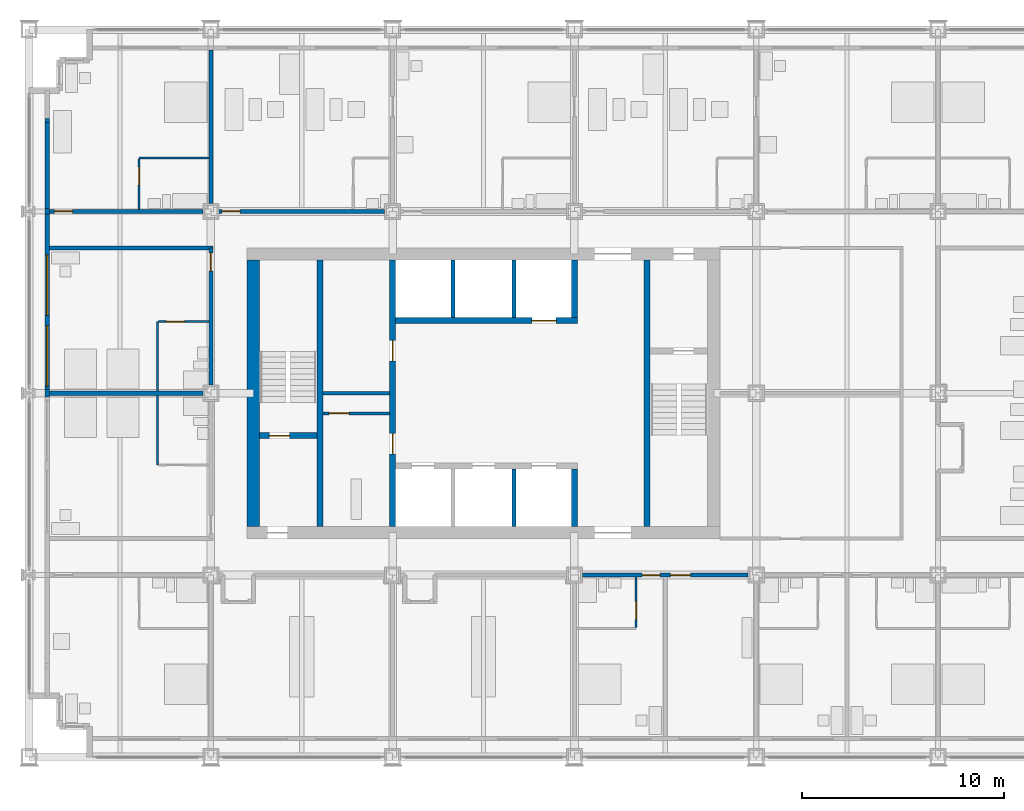
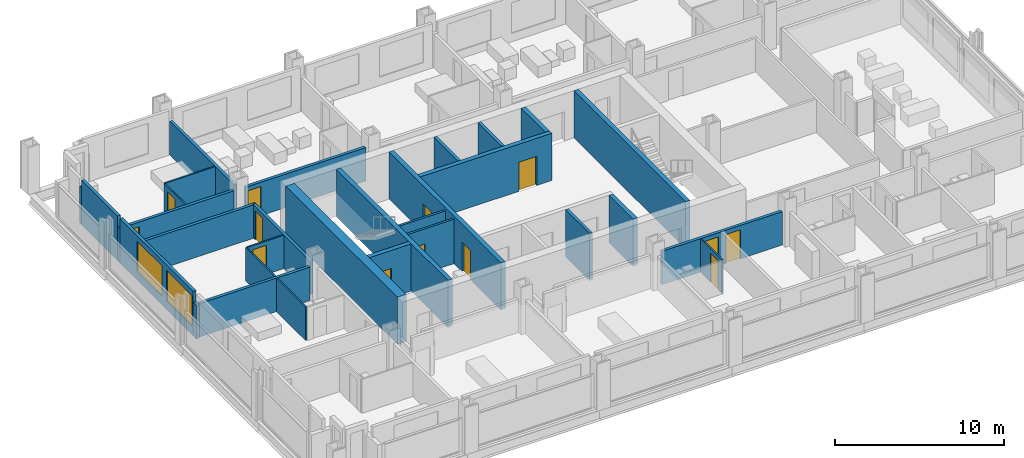
# One storey, part 11 of 18: 31 walls, 13 doors, 2 windows, 15 openings.
"""IFC4 building model written with IfcOpenShell, lengths in metres."""

from ifc_helpers import new_model, si_unit, direction, frame, frame_2d, origin, place, context, subcontext, project, spatial, rectangle, extrude, material, layer, layer_set, type_object, element, fill, save


model = new_model("IFC4")

# Units and contexts
model_context = context("Model", 3, precision=1e-05, world=origin(), true_north=direction((0.0, 1.0)))
body_context = subcontext(model_context, "Body", "Model", "MODEL_VIEW")
ifc_project = project(units=[si_unit("LENGTHUNIT", "METRE"), si_unit("AREAUNIT", "SQUARE_METRE"), si_unit("VOLUMEUNIT", "CUBIC_METRE"), si_unit("PLANEANGLEUNIT", "RADIAN"), si_unit("MASSUNIT", "GRAM", prefix="KILO")], contexts=[model_context])

# Site, building, storey
site_placement = place(None, origin())
site = spatial("IfcSite", under=ifc_project, at=site_placement, CompositionType="ELEMENT")
building_placement = place(site_placement, origin())
building = spatial("IfcBuilding", under=site, at=building_placement, Name="Loomwork Tower", CompositionType="ELEMENT")
storey_placement = place(building_placement, frame((0.0, 0.0, 28.0)))
storey = spatial("IfcBuildingStorey", under=building, at=storey_placement, Name="L05", CompositionType="ELEMENT", Elevation=28.0)

# Wall
ifc_material_1 = material(Name="Concrete 14000 psi (97 MPa)", Category="concrete")
ifc_layer_1 = layer(ifc_material_1, 0.300048828125)
ifc_layer_set_1 = layer_set([ifc_layer_1], Name="Core shear wall 300")
wall_type_1 = type_object("IfcWallType", Name="Core shear wall 300", PredefinedType="SHEAR", material=ifc_layer_set_1)
wall_1_placement = place(storey_placement, frame((14.39990234375, 11.39990234375, 0.0), z_axis=(0.0, 0.0, 1.0), x_axis=(0.0, 1.0, 0.0)))
element("IfcWall", 1, at=wall_1_placement, inside=storey, type_object=wall_type_1, Name="Stair A east wall L05", PredefinedType="SHEAR", context=body_context, shape_type="SweptSolid", body=[
    extrude(rectangle(XDim=13.2001953125, YDim=0.300048828125, at=frame_2d((6.60009765625, 0.0))), origin(), (0.0, 0.0, 1.0), 3.39990234375),
])

# Wall, opening, door
wall_2_placement = place(storey_placement, frame((11.39990234375, 15.89990234375, 0.0), z_axis=(0.0, 0.0, 1.0), x_axis=(1.0, 0.0, 0.0)))
wall_2 = element("IfcWall", 2, at=wall_2_placement, inside=storey, type_object=wall_type_1, Name="Stair A south wall L05", PredefinedType="SHEAR", context=body_context, shape_type="SweptSolid", body=[
    extrude(rectangle(XDim=2.85009765625, YDim=0.300048828125, at=frame_2d((1.425048828125, 0.0))), origin(), (0.0, 0.0, 1.0), 3.39990234375),
])
opening_1_placement = place(wall_2_placement, frame((0.5, 0.0, 0.0)))
opening_1 = element("IfcOpeningElement", 3, at=opening_1_placement, cuts=wall_2, Name="Opening D4", PredefinedType="OPENING", context=body_context, shape_type="SweptSolid", body=[
    extrude(rectangle(XDim=1.0, YDim=2.10009765625, at=frame_2d((0.5, 1.050048828125))), frame((0.0, 0.159912109375, 0.0), z_axis=(0.0, -1.0, 0.0), x_axis=(1.0, 0.0, 0.0)), (0.0, 0.0, 1.0), 0.320068359375),
])
ifc_material_2 = material(Name="Hollow metal door and frame")
door_type_1 = type_object("IfcDoorType", Name="Stair door 1000", OperationType="SINGLE_SWING_RIGHT", PredefinedType="DOOR", material=ifc_material_2)
door_1_placement = place(opening_1_placement, origin())
door_1 = element("IfcDoor", 4, at=door_1_placement, inside=storey, type_object=door_type_1, Name="Stair A door", OperationType="SINGLE_SWING_LEFT", OverallHeight=2.10009765625, OverallWidth=1.0, PredefinedType="DOOR", context=body_context, shape_type="SweptSolid", body=[
    extrude(rectangle(XDim=1.0, YDim=2.10009765625, at=frame_2d((0.5, 1.050048828125))), frame((0.0, 0.02490234375, 0.0), z_axis=(0.0, -1.0, 0.0), x_axis=(1.0, 0.0, 0.0)), (0.0, 0.0, 1.0), 0.050048828125),
])
fill(opening_1, door_1)

# Wall, openings, doors
wall_3_placement = place(storey_placement, frame((18.0, 11.39990234375, 0.0), z_axis=(0.0, 0.0, 1.0), x_axis=(0.0, 1.0, 0.0)))
wall_3 = element("IfcWall", 5, at=wall_3_placement, inside=storey, type_object=wall_type_1, Name="Lobby west wall L05", PredefinedType="SHEAR", context=body_context, shape_type="SweptSolid", body=[
    extrude(rectangle(XDim=13.2001953125, YDim=0.300048828125, at=frame_2d((6.60009765625, 0.0))), origin(), (0.0, 0.0, 1.0), 3.39990234375),
])
opening_2_placement = place(wall_3_placement, frame((3.60009765625, 0.0, 0.0)))
opening_2 = element("IfcOpeningElement", 6, at=opening_2_placement, cuts=wall_3, Name="Opening D5", PredefinedType="OPENING", context=body_context, shape_type="SweptSolid", body=[
    extrude(rectangle(XDim=1.0, YDim=2.10009765625, at=frame_2d((0.5, 1.050048828125))), frame((0.0, 0.159912109375, 0.0), z_axis=(0.0, -1.0, 0.0), x_axis=(1.0, 0.0, 0.0)), (0.0, 0.0, 1.0), 0.320068359375),
])
opening_3_placement = place(wall_3_placement, frame((8.199951171875, 0.0, 0.0)))
opening_3 = element("IfcOpeningElement", 7, at=opening_3_placement, cuts=wall_3, Name="Opening D5", PredefinedType="OPENING", context=body_context, shape_type="SweptSolid", body=[
    extrude(rectangle(XDim=1.0, YDim=2.10009765625, at=frame_2d((0.5, 1.050048828125))), frame((0.0, 0.159912109375, 0.0), z_axis=(0.0, -1.0, 0.0), x_axis=(1.0, 0.0, 0.0)), (0.0, 0.0, 1.0), 0.320068359375),
])
ifc_material_3 = material(Name="Hollow metal door and frame")
door_type_2 = type_object("IfcDoorType", Name="Service door 1000", OperationType="SINGLE_SWING_LEFT", PredefinedType="DOOR", material=ifc_material_3)
door_2_placement = place(opening_2_placement, origin())
door_2 = element("IfcDoor", 8, at=door_2_placement, inside=storey, type_object=door_type_2, Name="Back-of-house door south", OperationType="SINGLE_SWING_LEFT", OverallHeight=2.10009765625, OverallWidth=1.0, PredefinedType="DOOR", context=body_context, shape_type="SweptSolid", body=[
    extrude(rectangle(XDim=1.0, YDim=2.10009765625, at=frame_2d((0.5, 1.050048828125))), frame((0.0, 0.02490234375, 0.0), z_axis=(0.0, -1.0, 0.0), x_axis=(1.0, 0.0, 0.0)), (0.0, 0.0, 1.0), 0.050048828125),
])
fill(opening_2, door_2)
door_3_placement = place(opening_3_placement, origin())
door_3 = element("IfcDoor", 9, at=door_3_placement, inside=storey, type_object=door_type_2, Name="Back-of-house door north", OperationType="SINGLE_SWING_RIGHT", OverallHeight=2.10009765625, OverallWidth=1.0, PredefinedType="DOOR", context=body_context, shape_type="SweptSolid", body=[
    extrude(rectangle(XDim=1.0, YDim=2.10009765625, at=frame_2d((0.5, 1.050048828125))), frame((0.0, 0.02490234375, 0.0), z_axis=(0.0, -1.0, 0.0), x_axis=(1.0, 0.0, 0.0)), (0.0, 0.0, 1.0), 0.050048828125),
])
fill(opening_3, door_3)

# Wall
wall_4_placement = place(storey_placement, frame((27.0, 11.39990234375, 0.0), z_axis=(0.0, 0.0, 1.0), x_axis=(0.0, 1.0, 0.0)))
element("IfcWall", 10, at=wall_4_placement, inside=storey, type_object=wall_type_1, Name="Lift shaft end wall south L05", PredefinedType="SHEAR", context=body_context, shape_type="SweptSolid", body=[
    extrude(rectangle(XDim=2.85009765625, YDim=0.300048828125, at=frame_2d((1.425048828125, 0.0))), origin(), (0.0, 0.0, 1.0), 3.39990234375),
])

# Wall, opening, door
wall_5_placement = place(storey_placement, frame((18.14990234375, 21.60009765625, 0.0), z_axis=(0.0, 0.0, 1.0), x_axis=(1.0, 0.0, 0.0)))
wall_5 = element("IfcWall", 11, at=wall_5_placement, inside=storey, type_object=wall_type_1, Name="Lift front wall north L05", PredefinedType="SHEAR", context=body_context, shape_type="SweptSolid", body=[
    extrude(rectangle(XDim=9.0, YDim=0.300048828125, at=frame_2d((4.5, 0.0))), origin(), (0.0, 0.0, 1.0), 3.39990234375),
])
opening_4_placement = place(wall_5_placement, frame((6.75, 0.0, 0.0)))
opening_4 = element("IfcOpeningElement", 12, at=opening_4_placement, cuts=wall_5, Name="Opening LD2", PredefinedType="OPENING", context=body_context, shape_type="SweptSolid", body=[
    extrude(rectangle(XDim=1.199951171875, YDim=2.10009765625, at=frame_2d((0.60009765625, 1.050048828125))), frame((0.0, 0.159912109375, 0.0), z_axis=(0.0, -1.0, 0.0), x_axis=(1.0, 0.0, 0.0)), (0.0, 0.0, 1.0), 0.320068359375),
])
ifc_material_4 = material(Name="Hollow metal door and frame")
door_type_3 = type_object("IfcDoorType", Name="Lift landing door 1200", OperationType="SLIDING_TO_LEFT", PredefinedType="DOOR", material=ifc_material_4)
door_4_placement = place(opening_4_placement, origin())
door_4 = element("IfcDoor", 13, at=door_4_placement, inside=storey, type_object=door_type_3, Name="Lift landing door LF2", OperationType="SLIDING_TO_LEFT", OverallHeight=2.10009765625, OverallWidth=1.199951171875, PredefinedType="DOOR", context=body_context, shape_type="SweptSolid", body=[
    extrude(rectangle(XDim=1.199951171875, YDim=2.10009765625, at=frame_2d((0.60009765625, 1.050048828125))), frame((0.0, 0.02490234375, 0.0), z_axis=(0.0, -1.0, 0.0), x_axis=(1.0, 0.0, 0.0)), (0.0, 0.0, 1.0), 0.050048828125),
])
fill(opening_4, door_4)

# Walls
wall_6_placement = place(storey_placement, frame((27.0, 21.75, 0.0), z_axis=(0.0, 0.0, 1.0), x_axis=(0.0, 1.0, 0.0)))
element("IfcWall", 14, at=wall_6_placement, inside=storey, type_object=wall_type_1, Name="Lift shaft end wall north L05", PredefinedType="SHEAR", context=body_context, shape_type="SweptSolid", body=[
    extrude(rectangle(XDim=2.85009765625, YDim=0.300048828125, at=frame_2d((1.425048828125, 0.0))), origin(), (0.0, 0.0, 1.0), 3.39990234375),
])
wall_7_placement = place(storey_placement, frame((30.60009765625, 11.39990234375, 0.0), z_axis=(0.0, 0.0, 1.0), x_axis=(0.0, 1.0, 0.0)))
element("IfcWall", 15, at=wall_7_placement, inside=storey, type_object=wall_type_1, Name="Stair B west wall L05", PredefinedType="SHEAR", context=body_context, shape_type="SweptSolid", body=[
    extrude(rectangle(XDim=13.2001953125, YDim=0.300048828125, at=frame_2d((6.60009765625, 0.0))), origin(), (0.0, 0.0, 1.0), 3.39990234375),
])
ifc_material_5 = material(Name="Concrete 14000 psi (97 MPa)", Category="concrete")
ifc_layer_2 = layer(ifc_material_5, 0.60009765625)
ifc_layer_set_2 = layer_set([ifc_layer_2], Name="Core shear wall 600")
wall_type_2 = type_object("IfcWallType", Name="Core shear wall 600", PredefinedType="SHEAR", material=ifc_layer_set_2)
wall_8_placement = place(storey_placement, frame((11.10009765625, 11.39990234375, 0.0), z_axis=(0.0, 0.0, 1.0), x_axis=(0.0, 1.0, 0.0)))
element("IfcWall", 16, at=wall_8_placement, inside=storey, type_object=wall_type_2, Name="Core wall west L05", PredefinedType="SHEAR", context=body_context, shape_type="SweptSolid", body=[
    extrude(rectangle(XDim=13.2001953125, YDim=0.60009765625, at=frame_2d((6.60009765625, 0.0))), origin(), (0.0, 0.0, 1.0), 3.39990234375),
])

# Wall, openings, doors
ifc_material_6 = material(Name="Gypsum board on steel studs, one-hour", Category="steel")
ifc_layer_3 = layer(ifc_material_6, 0.199951171875)
ifc_layer_set_3 = layer_set([ifc_layer_3], Name="Corridor wall 200")
wall_type_3 = type_object("IfcWallType", Name="Corridor wall 200", PredefinedType="PARTITIONING", material=ifc_layer_set_3)
wall_9_placement = place(storey_placement, frame((27.39990234375, 9.0, 0.0), z_axis=(0.0, 0.0, 1.0), x_axis=(1.0, 0.0, 0.0)))
wall_9 = element("IfcWall", 17, at=wall_9_placement, inside=storey, type_object=wall_type_3, Name="South corridor wall 4", PredefinedType="PARTITIONING", context=body_context, shape_type="SweptSolid", body=[
    extrude(rectangle(XDim=8.2001953125, YDim=0.199951171875, at=frame_2d((4.10009765625, 0.0))), origin(), (0.0, 0.0, 1.0), 2.405029296875),
])
opening_5_placement = place(wall_9_placement, frame((2.949951171875, 0.0, 0.0)))
opening_5 = element("IfcOpeningElement", 18, at=opening_5_placement, cuts=wall_9, Name="Opening D1", PredefinedType="OPENING", context=body_context, shape_type="SweptSolid", body=[
    extrude(rectangle(XDim=0.89990234375, YDim=2.10009765625, at=frame_2d((0.449951171875, 1.050048828125))), frame((0.0, 0.10986328125, 0.0), z_axis=(0.0, -1.0, 0.0), x_axis=(1.0, 0.0, 0.0)), (0.0, 0.0, 1.0), 0.219970703125),
])
opening_6_placement = place(wall_9_placement, frame((4.35009765625, 0.0, 0.0)))
opening_6 = element("IfcOpeningElement", 19, at=opening_6_placement, cuts=wall_9, Name="Opening D15", PredefinedType="OPENING", context=body_context, shape_type="SweptSolid", body=[
    extrude(rectangle(XDim=1.0, YDim=2.10009765625, at=frame_2d((0.5, 1.050048828125))), frame((0.0, 0.10986328125, 0.0), z_axis=(0.0, -1.0, 0.0), x_axis=(1.0, 0.0, 0.0)), (0.0, 0.0, 1.0), 0.219970703125),
])
ifc_material_7 = material(Name="Hollow metal door and frame")
door_type_4 = type_object("IfcDoorType", Name="Fire-rated room door 1000", OperationType="SINGLE_SWING_LEFT", PredefinedType="DOOR", material=ifc_material_7)
door_5_placement = place(opening_6_placement, frame((1.0, 0.0, 0.0), z_axis=(0.0, 0.0, 1.0), x_axis=(-1.0, 0.0, 0.0)))
door_5 = element("IfcDoor", 20, at=door_5_placement, inside=storey, type_object=door_type_4, Name="Housekeeping pantry door L05 5", OperationType="SINGLE_SWING_RIGHT", OverallHeight=2.10009765625, OverallWidth=1.0, PredefinedType="DOOR", context=body_context, shape_type="SweptSolid", body=[
    extrude(rectangle(XDim=1.0, YDim=2.10009765625, at=frame_2d((0.5, 1.050048828125))), frame((0.0, 0.02490234375, 0.0), z_axis=(0.0, -1.0, 0.0), x_axis=(1.0, 0.0, 0.0)), (0.0, 0.0, 1.0), 0.050048828125),
])
fill(opening_6, door_5)
ifc_material_8 = material(Name="Hollow metal door and frame")
door_type_5 = type_object("IfcDoorType", Name="Guest room entry door 900", OperationType="SINGLE_SWING_LEFT", PredefinedType="DOOR", material=ifc_material_8)
door_6_placement = place(opening_5_placement, frame((0.89990234375, 0.0, 0.0), z_axis=(0.0, 0.0, 1.0), x_axis=(-1.0, 0.0, 0.0)))
door_6 = element("IfcDoor", 21, at=door_6_placement, inside=storey, type_object=door_type_5, Name="Guest room entry door L05 4", OperationType="SINGLE_SWING_LEFT", OverallHeight=2.10009765625, OverallWidth=0.89990234375, PredefinedType="DOOR", context=body_context, shape_type="SweptSolid", body=[
    extrude(rectangle(XDim=0.89990234375, YDim=2.10009765625, at=frame_2d((0.449951171875, 1.050048828125))), frame((0.0, 0.02490234375, 0.0), z_axis=(0.0, -1.0, 0.0), x_axis=(1.0, 0.0, 0.0)), (0.0, 0.0, 1.0), 0.050048828125),
])
fill(opening_5, door_6)

# Wall, opening, door
wall_10_placement = place(storey_placement, frame((1.0, 27.0, 0.0), z_axis=(0.0, 0.0, 1.0), x_axis=(1.0, 0.0, 0.0)))
wall_10 = element("IfcWall", 22, at=wall_10_placement, inside=storey, type_object=wall_type_3, Name="North corridor wall 1", PredefinedType="PARTITIONING", context=body_context, shape_type="SweptSolid", body=[
    extrude(rectangle(XDim=7.60009765625, YDim=0.199951171875, at=frame_2d((3.800048828125, 0.0))), origin(), (0.0, 0.0, 1.0), 2.43798828125),
])
opening_7_placement = place(wall_10_placement, frame((0.25, 0.0, 0.0)))
opening_7 = element("IfcOpeningElement", 23, at=opening_7_placement, cuts=wall_10, Name="Opening D1", PredefinedType="OPENING", context=body_context, shape_type="SweptSolid", body=[
    extrude(rectangle(XDim=0.89990234375, YDim=2.10009765625, at=frame_2d((0.449951171875, 1.050048828125))), frame((0.0, 0.10986328125, 0.0), z_axis=(0.0, -1.0, 0.0), x_axis=(1.0, 0.0, 0.0)), (0.0, 0.0, 1.0), 0.219970703125),
])
door_7_placement = place(opening_7_placement, origin())
door_7 = element("IfcDoor", 24, at=door_7_placement, inside=storey, type_object=door_type_5, Name="Guest room entry door L05 9", OperationType="SINGLE_SWING_LEFT", OverallHeight=2.10009765625, OverallWidth=0.89990234375, PredefinedType="DOOR", context=body_context, shape_type="SweptSolid", body=[
    extrude(rectangle(XDim=0.89990234375, YDim=2.10009765625, at=frame_2d((0.449951171875, 1.050048828125))), frame((0.0, 0.02490234375, 0.0), z_axis=(0.0, -1.0, 0.0), x_axis=(1.0, 0.0, 0.0)), (0.0, 0.0, 1.0), 0.050048828125),
])
fill(opening_7, door_7)

wall_11_placement = place(storey_placement, frame((9.39990234375, 27.0, 0.0), z_axis=(0.0, 0.0, 1.0), x_axis=(1.0, 0.0, 0.0)))
wall_11 = element("IfcWall", 25, at=wall_11_placement, inside=storey, type_object=wall_type_3, Name="North corridor wall 2", PredefinedType="PARTITIONING", context=body_context, shape_type="SweptSolid", body=[
    extrude(rectangle(XDim=8.2001953125, YDim=0.199951171875, at=frame_2d((4.10009765625, 0.0))), origin(), (0.0, 0.0, 1.0), 2.405029296875),
])
opening_8_placement = place(wall_11_placement, frame((0.14990234375, 0.0, 0.0)))
opening_8 = element("IfcOpeningElement", 26, at=opening_8_placement, cuts=wall_11, Name="Opening D1", PredefinedType="OPENING", context=body_context, shape_type="SweptSolid", body=[
    extrude(rectangle(XDim=0.89990234375, YDim=2.10009765625, at=frame_2d((0.449951171875, 1.050048828125))), frame((0.0, 0.10986328125, 0.0), z_axis=(0.0, -1.0, 0.0), x_axis=(1.0, 0.0, 0.0)), (0.0, 0.0, 1.0), 0.219970703125),
])
door_8_placement = place(opening_8_placement, origin())
door_8 = element("IfcDoor", 27, at=door_8_placement, inside=storey, type_object=door_type_5, Name="Guest room entry door L05 10", OperationType="SINGLE_SWING_LEFT", OverallHeight=2.10009765625, OverallWidth=0.89990234375, PredefinedType="DOOR", context=body_context, shape_type="SweptSolid", body=[
    extrude(rectangle(XDim=0.89990234375, YDim=2.10009765625, at=frame_2d((0.449951171875, 1.050048828125))), frame((0.0, 0.02490234375, 0.0), z_axis=(0.0, -1.0, 0.0), x_axis=(1.0, 0.0, 0.0)), (0.0, 0.0, 1.0), 0.050048828125),
])
fill(opening_8, door_8)

wall_12_placement = place(storey_placement, frame((9.0, 18.39990234375, 0.0), z_axis=(0.0, 0.0, 1.0), x_axis=(0.0, 1.0, 0.0)))
wall_12 = element("IfcWall", 28, at=wall_12_placement, inside=storey, type_object=wall_type_3, Name="West corridor wall 2", PredefinedType="PARTITIONING", context=body_context, shape_type="SweptSolid", body=[
    extrude(rectangle(XDim=6.800048828125, YDim=0.199951171875, at=frame_2d((3.39990234375, 0.0))), origin(), (0.0, 0.0, 1.0), 2.405029296875),
])
opening_9_placement = place(wall_12_placement, frame((5.64990234375, 0.0, 0.0)))
opening_9 = element("IfcOpeningElement", 29, at=opening_9_placement, cuts=wall_12, Name="Opening D1", PredefinedType="OPENING", context=body_context, shape_type="SweptSolid", body=[
    extrude(rectangle(XDim=0.89990234375, YDim=2.10009765625, at=frame_2d((0.449951171875, 1.050048828125))), frame((0.0, 0.10986328125, 0.0), z_axis=(0.0, -1.0, 0.0), x_axis=(1.0, 0.0, 0.0)), (0.0, 0.0, 1.0), 0.219970703125),
])
door_9_placement = place(opening_9_placement, origin())
door_9 = element("IfcDoor", 30, at=door_9_placement, inside=storey, type_object=door_type_5, Name="Guest room entry door L05 16", OperationType="SINGLE_SWING_RIGHT", OverallHeight=2.10009765625, OverallWidth=0.89990234375, PredefinedType="DOOR", context=body_context, shape_type="SweptSolid", body=[
    extrude(rectangle(XDim=0.89990234375, YDim=2.10009765625, at=frame_2d((0.449951171875, 1.050048828125))), frame((0.0, 0.02490234375, 0.0), z_axis=(0.0, -1.0, 0.0), x_axis=(1.0, 0.0, 0.0)), (0.0, 0.0, 1.0), 0.050048828125),
])
fill(opening_9, door_9)

# Wall
wall_13_placement = place(storey_placement, frame((1.0, 25.199951171875, 0.0), z_axis=(0.0, 0.0, 1.0), x_axis=(1.0, 0.0, 0.0)))
element("IfcWall", 31, at=wall_13_placement, inside=storey, type_object=wall_type_3, Name="West band end wall N", PredefinedType="PARTITIONING", context=body_context, shape_type="SweptSolid", body=[
    extrude(rectangle(XDim=8.10009765625, YDim=0.199951171875, at=frame_2d((4.050048828125, 0.0))), origin(), (0.0, 0.0, 1.0), 2.404052734375),
])

# Wall, opening, door
ifc_material_9 = material(Name="Cement board on steel studs", Category="steel")
ifc_layer_4 = layer(ifc_material_9, 0.10009765625)
ifc_layer_set_4 = layer_set([ifc_layer_4], Name="En-suite partition 100")
wall_type_4 = type_object("IfcWallType", Name="En-suite partition 100", PredefinedType="PARTITIONING", material=ifc_layer_set_4)
wall_14_placement = place(storey_placement, frame((30.050048828125, 8.89990234375, 0.0), z_axis=(0.0, 0.0, 1.0), x_axis=(0.0, -1.0, 0.0)))
wall_14 = element("IfcWall", 32, at=wall_14_placement, inside=storey, type_object=wall_type_4, Name="En-suite side wall L05 room 4", PredefinedType="PARTITIONING", context=body_context, shape_type="SweptSolid", body=[
    extrude(rectangle(XDim=2.5, YDim=0.10009765625, at=frame_2d((1.25, 0.0))), origin(), (0.0, 0.0, 1.0), 2.404052734375),
])
opening_10_placement = place(wall_14_placement, frame((1.199951171875, 0.0, 0.0)))
opening_10 = element("IfcOpeningElement", 33, at=opening_10_placement, cuts=wall_14, Name="Opening D2", PredefinedType="OPENING", context=body_context, shape_type="SweptSolid", body=[
    extrude(rectangle(XDim=0.89990234375, YDim=2.10009765625, at=frame_2d((0.449951171875, 1.050048828125))), frame((0.0, 0.06005859375, 0.0), z_axis=(0.0, -1.0, 0.0), x_axis=(1.0, 0.0, 0.0)), (0.0, 0.0, 1.0), 0.1201171875),
])
ifc_material_10 = material(Name="Hollow metal door and frame")
door_type_6 = type_object("IfcDoorType", Name="En-suite door 900", OperationType="SINGLE_SWING_LEFT", PredefinedType="DOOR", material=ifc_material_10)
door_10_placement = place(opening_10_placement, frame((0.89990234375, 0.0, 0.0), z_axis=(0.0, 0.0, 1.0), x_axis=(-1.0, 0.0, 0.0)))
door_10 = element("IfcDoor", 34, at=door_10_placement, inside=storey, type_object=door_type_6, Name="En-suite door room 4", OperationType="SINGLE_SWING_LEFT", OverallHeight=2.10009765625, OverallWidth=0.89990234375, PredefinedType="DOOR", context=body_context, shape_type="SweptSolid", body=[
    extrude(rectangle(XDim=0.89990234375, YDim=2.10009765625, at=frame_2d((0.449951171875, 1.050048828125))), frame((0.0, 0.02490234375, 0.0), z_axis=(0.0, -1.0, 0.0), x_axis=(1.0, 0.0, 0.0)), (0.0, 0.0, 1.0), 0.050048828125),
])
fill(opening_10, door_10)

# Wall
wall_15_placement = place(storey_placement, frame((5.449951171875, 29.64990234375, 0.0), z_axis=(0.0, 0.0, 1.0), x_axis=(1.0, 0.0, 0.0)))
element("IfcWall", 35, at=wall_15_placement, inside=storey, type_object=wall_type_4, Name="En-suite wall L05 room 9", PredefinedType="PARTITIONING", context=body_context, shape_type="SweptSolid", body=[
    extrude(rectangle(XDim=3.449951171875, YDim=0.10009765625, at=frame_2d((1.72509765625, 0.0))), origin(), (0.0, 0.0, 1.0), 2.43798828125),
])

# Wall, opening, door
wall_16_placement = place(storey_placement, frame((5.449951171875, 27.10009765625, 0.0), z_axis=(0.0, 0.0, 1.0), x_axis=(0.0, 1.0, 0.0)))
wall_16 = element("IfcWall", 36, at=wall_16_placement, inside=storey, type_object=wall_type_4, Name="En-suite side wall L05 room 9", PredefinedType="PARTITIONING", context=body_context, shape_type="SweptSolid", body=[
    extrude(rectangle(XDim=2.5, YDim=0.10009765625, at=frame_2d((1.25, 0.0))), origin(), (0.0, 0.0, 1.0), 2.43798828125),
])
opening_11_placement = place(wall_16_placement, frame((1.199951171875, 0.0, 0.0)))
opening_11 = element("IfcOpeningElement", 37, at=opening_11_placement, cuts=wall_16, Name="Opening D2", PredefinedType="OPENING", context=body_context, shape_type="SweptSolid", body=[
    extrude(rectangle(XDim=0.89990234375, YDim=2.10009765625, at=frame_2d((0.449951171875, 1.050048828125))), frame((0.0, 0.06005859375, 0.0), z_axis=(0.0, -1.0, 0.0), x_axis=(1.0, 0.0, 0.0)), (0.0, 0.0, 1.0), 0.1201171875),
])
door_11_placement = place(opening_11_placement, frame((0.89990234375, 0.0, 0.0), z_axis=(0.0, 0.0, 1.0), x_axis=(-1.0, 0.0, 0.0)))
door_11 = element("IfcDoor", 38, at=door_11_placement, inside=storey, type_object=door_type_6, Name="En-suite door room 9", OperationType="SINGLE_SWING_LEFT", OverallHeight=2.10009765625, OverallWidth=0.89990234375, PredefinedType="DOOR", context=body_context, shape_type="SweptSolid", body=[
    extrude(rectangle(XDim=0.89990234375, YDim=2.10009765625, at=frame_2d((0.449951171875, 1.050048828125))), frame((0.0, 0.02490234375, 0.0), z_axis=(0.0, -1.0, 0.0), x_axis=(1.0, 0.0, 0.0)), (0.0, 0.0, 1.0), 0.050048828125),
])
fill(opening_11, door_11)

# Walls
for number, where, z_axis, x_axis, name in (
    (39, (6.35009765625, 14.449951171875, 0.0), (0.0, 0.0, 1.0), (0.0, 1.0, 0.0), "En-suite wall L05 room 15"),
    (40, (6.35009765625, 18.10009765625, 0.0), (0.0, 0.0, 1.0), (0.0, 1.0, 0.0), "En-suite wall L05 room 16"),
):
    element("IfcWall", number, at=place(storey_placement, frame(where, z_axis=z_axis, x_axis=x_axis)), inside=storey, type_object=wall_type_4, Name=name, PredefinedType="PARTITIONING", context=body_context, shape_type="SweptSolid", body=[
        extrude(rectangle(XDim=3.449951171875, YDim=0.10009765625, at=frame_2d((1.72509765625, 0.0))), origin(), (0.0, 0.0, 1.0), 2.404052734375),
    ])

# Wall, opening, door
wall_17_placement = place(storey_placement, frame((8.89990234375, 21.550048828125, 0.0), z_axis=(0.0, 0.0, 1.0), x_axis=(-1.0, 0.0, 0.0)))
wall_17 = element("IfcWall", 41, at=wall_17_placement, inside=storey, type_object=wall_type_4, Name="En-suite side wall L05 room 16", PredefinedType="PARTITIONING", context=body_context, shape_type="SweptSolid", body=[
    extrude(rectangle(XDim=2.5, YDim=0.10009765625, at=frame_2d((1.25, 0.0))), origin(), (0.0, 0.0, 1.0), 2.404052734375),
])
opening_12_placement = place(wall_17_placement, frame((1.199951171875, 0.0, 0.0)))
opening_12 = element("IfcOpeningElement", 42, at=opening_12_placement, cuts=wall_17, Name="Opening D2", PredefinedType="OPENING", context=body_context, shape_type="SweptSolid", body=[
    extrude(rectangle(XDim=0.89990234375, YDim=2.10009765625, at=frame_2d((0.449951171875, 1.050048828125))), frame((0.0, 0.06005859375, 0.0), z_axis=(0.0, -1.0, 0.0), x_axis=(1.0, 0.0, 0.0)), (0.0, 0.0, 1.0), 0.1201171875),
])
door_12_placement = place(opening_12_placement, origin())
door_12 = element("IfcDoor", 43, at=door_12_placement, inside=storey, type_object=door_type_6, Name="En-suite door room 16", OperationType="SINGLE_SWING_RIGHT", OverallHeight=2.10009765625, OverallWidth=0.89990234375, PredefinedType="DOOR", context=body_context, shape_type="SweptSolid", body=[
    extrude(rectangle(XDim=0.89990234375, YDim=2.10009765625, at=frame_2d((0.449951171875, 1.050048828125))), frame((0.0, 0.02490234375, 0.0), z_axis=(0.0, -1.0, 0.0), x_axis=(1.0, 0.0, 0.0)), (0.0, 0.0, 1.0), 0.050048828125),
])
fill(opening_12, door_12)

# Walls
ifc_material_11 = material(Name="Gypsum board on steel studs, acoustic", Category="steel")
ifc_layer_5 = layer(ifc_material_11, 0.199951171875)
ifc_layer_set_5 = layer_set([ifc_layer_5], Name="Guest room party wall 200")
wall_type_5 = type_object("IfcWallType", Name="Guest room party wall 200", PredefinedType="PARTITIONING", material=ifc_layer_set_5)
wall_18_placement = place(storey_placement, frame((9.0, 27.39990234375, 0.0), z_axis=(0.0, 0.0, 1.0), x_axis=(0.0, 1.0, 0.0)))
element("IfcWall", 44, at=wall_18_placement, inside=storey, type_object=wall_type_5, Name="Guest room party wall N 9", PredefinedType="PARTITIONING", context=body_context, shape_type="SweptSolid", body=[
    extrude(rectangle(XDim=7.60009765625, YDim=0.199951171875, at=frame_2d((3.800048828125, 0.0))), origin(), (0.0, 0.0, 1.0), 2.43798828125),
])
wall_19_placement = place(storey_placement, frame((8.60009765625, 18.0, 0.0), z_axis=(0.0, 0.0, 1.0), x_axis=(-1.0, 0.0, 0.0)))
element("IfcWall", 45, at=wall_19_placement, inside=storey, type_object=wall_type_5, Name="Guest room party wall W 18", PredefinedType="PARTITIONING", context=body_context, shape_type="SweptSolid", body=[
    extrude(rectangle(XDim=7.60009765625, YDim=0.199951171875, at=frame_2d((3.800048828125, 0.0))), origin(), (0.0, 0.0, 1.0), 2.405029296875),
])
ifc_material_12 = material(Name="Insulated steel stud wall with gypsum lining", Category="steel")
ifc_layer_6 = layer(ifc_material_12, 0.199951171875)
ifc_layer_set_6 = layer_set([ifc_layer_6], Name="Inner skin wall 200")
wall_type_6 = type_object("IfcWallType", Name="Inner skin wall 200", PredefinedType="SOLIDWALL", material=ifc_layer_set_6)
wall_20_placement = place(storey_placement, frame((0.89990234375, 17.80615234375, 0.0), z_axis=(0.0, 0.0, 1.0), x_axis=(0.0, 1.0, 0.0)))
element("IfcWall", 46, at=wall_20_placement, inside=storey, type_object=wall_type_6, Name="Inner skin wall W bay 6", PredefinedType="SOLIDWALL", context=body_context, shape_type="SweptSolid", body=[
    extrude(rectangle(XDim=0.3876953125, YDim=0.199951171875, at=frame_2d((0.19384765625, 0.0))), origin(), (0.0, 0.0, 1.0), 2.404052734375),
])

# Wall, openings, windows
wall_21_placement = place(storey_placement, frame((0.89990234375, 18.19384765625, 0.0), z_axis=(0.0, 0.0, 1.0), x_axis=(0.0, 1.0, 0.0)))
wall_21 = element("IfcWall", 47, at=wall_21_placement, inside=storey, type_object=wall_type_6, Name="Inner skin wall W bay 7", PredefinedType="SOLIDWALL", context=body_context, shape_type="SweptSolid", body=[
    extrude(rectangle(XDim=8.6708984375, YDim=0.199951171875, at=frame_2d((4.33544921875, 0.0))), origin(), (0.0, 0.0, 1.0), 3.199951171875),
])
opening_13_placement = place(wall_21_placement, frame((0.15625, 0.0, 0.60009765625)))
opening_13 = element("IfcOpeningElement", 48, at=opening_13_placement, cuts=wall_21, Name="Opening CH1", PredefinedType="OPENING", context=body_context, shape_type="SweptSolid", body=[
    extrude(rectangle(XDim=3.0, YDim=2.199951171875, at=frame_2d((1.5, 1.10009765625))), frame((0.0, 0.10986328125, 0.0), z_axis=(0.0, -1.0, 0.0), x_axis=(1.0, 0.0, 0.0)), (0.0, 0.0, 1.0), 0.219970703125),
])
opening_14_placement = place(wall_21_placement, frame((3.65625, 0.0, 0.60009765625)))
opening_14 = element("IfcOpeningElement", 49, at=opening_14_placement, cuts=wall_21, Name="Opening CH1", PredefinedType="OPENING", context=body_context, shape_type="SweptSolid", body=[
    extrude(rectangle(XDim=3.0, YDim=2.199951171875, at=frame_2d((1.5, 1.10009765625))), frame((0.0, 0.10986328125, 0.0), z_axis=(0.0, -1.0, 0.0), x_axis=(1.0, 0.0, 0.0)), (0.0, 0.0, 1.0), 0.219970703125),
])
ifc_material_13 = material(Name="Aluminium frame with clear insulated glass", Category="aluminium")
window_type = type_object("IfcWindowType", Name="Chicago window 3000", PartitioningType="TRIPLE_PANEL_VERTICAL", PredefinedType="WINDOW", material=ifc_material_13)
window_1_placement = place(opening_13_placement, origin())
window_1 = element("IfcWindow", 50, at=window_1_placement, inside=storey, type_object=window_type, Name="Chicago window L05 bay 14", OverallHeight=2.199951171875, OverallWidth=3.0, PartitioningType="TRIPLE_PANEL_VERTICAL", PredefinedType="WINDOW", context=body_context, shape_type="SweptSolid", body=[
    extrude(rectangle(XDim=3.0, YDim=2.199951171875, at=frame_2d((1.5, 1.10009765625))), frame((0.0, 0.030029296875, 0.0), z_axis=(0.0, -1.0, 0.0), x_axis=(1.0, 0.0, 0.0)), (0.0, 0.0, 1.0), 0.06005859375),
])
fill(opening_13, window_1)
window_2_placement = place(opening_14_placement, origin())
window_2 = element("IfcWindow", 51, at=window_2_placement, inside=storey, type_object=window_type, Name="Chicago window L05 bay 14", OverallHeight=2.199951171875, OverallWidth=3.0, PartitioningType="TRIPLE_PANEL_VERTICAL", PredefinedType="WINDOW", context=body_context, shape_type="SweptSolid", body=[
    extrude(rectangle(XDim=3.0, YDim=2.199951171875, at=frame_2d((1.5, 1.10009765625))), frame((0.0, 0.030029296875, 0.0), z_axis=(0.0, -1.0, 0.0), x_axis=(1.0, 0.0, 0.0)), (0.0, 0.0, 1.0), 0.06005859375),
])
fill(opening_14, window_2)

# Walls
wall_22_placement = place(storey_placement, frame((0.89990234375, 26.86474609375, 0.0), z_axis=(0.0, 0.0, 1.0), x_axis=(0.0, 1.0, 0.0)))
element("IfcWall", 52, at=wall_22_placement, inside=storey, type_object=wall_type_6, Name="Inner skin wall W bay 8", PredefinedType="SOLIDWALL", context=body_context, shape_type="SweptSolid", body=[
    extrude(rectangle(XDim=0.2705078125, YDim=0.199951171875, at=frame_2d((0.13525390625, 0.0))), origin(), (0.0, 0.0, 1.0), 2.43798828125),
])
wall_23_placement = place(storey_placement, frame((0.89990234375, 27.13525390625, 0.0), z_axis=(0.0, 0.0, 1.0), x_axis=(0.0, 1.0, 0.0)))
element("IfcWall", 53, at=wall_23_placement, inside=storey, type_object=wall_type_6, Name="Inner skin wall W bay 9", PredefinedType="SOLIDWALL", context=body_context, shape_type="SweptSolid", body=[
    extrude(rectangle(XDim=4.25732421875, YDim=0.199951171875, at=frame_2d((2.128662109375, 0.0))), origin(), (0.0, 0.0, 1.0), 3.199951171875),
])
wall_24_placement = place(storey_placement, frame((0.89990234375, 31.392578125, 0.0), z_axis=(0.0, 0.0, 1.0), x_axis=(0.0, 1.0, 0.0)))
element("IfcWall", 54, at=wall_24_placement, inside=storey, type_object=wall_type_6, Name="Inner skin wall W bay 10", PredefinedType="SOLIDWALL", context=body_context, shape_type="SweptSolid", body=[
    extrude(rectangle(XDim=0.21484375, YDim=0.199951171875, at=frame_2d((0.107421875, 0.0))), origin(), (0.0, 0.0, 1.0), 2.660888671875),
])
ifc_material_14 = material(Name="Concrete 14000 psi (97 MPa)", Category="concrete")
ifc_layer_7 = layer(ifc_material_14, 0.199951171875)
ifc_layer_set_7 = layer_set([ifc_layer_7], Name="Lift shaft wall 200")
wall_type_7 = type_object("IfcWallType", Name="Lift shaft wall 200", PredefinedType="SHEAR", material=ifc_layer_set_7)
for number, where, z_axis, x_axis, name in (
    (55, (24.0, 11.39990234375, 0.0), (0.0, 0.0, 1.0), (0.0, 1.0, 0.0), "Lift shaft separation wall south 2 L05"),
    (56, (21.0, 21.75, 0.0), (0.0, 0.0, 1.0), (0.0, 1.0, 0.0), "Lift shaft separation wall north 1 L05"),
    (57, (24.0, 21.75, 0.0), (0.0, 0.0, 1.0), (0.0, 1.0, 0.0), "Lift shaft separation wall north 2 L05"),
):
    element("IfcWall", number, at=place(storey_placement, frame(where, z_axis=z_axis, x_axis=x_axis)), inside=storey, type_object=wall_type_7, Name=name, PredefinedType="SHEAR", context=body_context, shape_type="SweptSolid", body=[
        extrude(rectangle(XDim=2.85009765625, YDim=0.199951171875, at=frame_2d((1.425048828125, 0.0))), origin(), (0.0, 0.0, 1.0), 3.39990234375),
    ])
ifc_material_15 = material(Name="Gypsum board on steel studs", Category="steel")
ifc_layer_8 = layer(ifc_material_15, 0.14990234375)
ifc_layer_set_8 = layer_set([ifc_layer_8], Name="Partition 150 two-hour")
wall_type_8 = type_object("IfcWallType", Name="Partition 150 two-hour", PredefinedType="PARTITIONING", material=ifc_layer_set_8)
wall_25_placement = place(storey_placement, frame((14.550048828125, 18.0, 0.0), z_axis=(0.0, 0.0, 1.0), x_axis=(1.0, 0.0, 0.0)))
element("IfcWall", 58, at=wall_25_placement, inside=storey, type_object=wall_type_8, Name="Back-of-house dividing wall L05", PredefinedType="PARTITIONING", context=body_context, shape_type="SweptSolid", body=[
    extrude(rectangle(XDim=3.300048828125, YDim=0.14990234375, at=frame_2d((1.64990234375, 0.0))), origin(), (0.0, 0.0, 1.0), 3.199951171875),
])

# Wall, opening, door
ifc_material_16 = material(Name="Gypsum board on steel studs, one-hour", Category="steel")
ifc_layer_9 = layer(ifc_material_16, 0.14990234375)
ifc_layer_set_9 = layer_set([ifc_layer_9], Name="Service partition 150")
wall_type_9 = type_object("IfcWallType", Name="Service partition 150", PredefinedType="PARTITIONING", material=ifc_layer_set_9)
wall_26_placement = place(storey_placement, frame((14.550048828125, 17.0, 0.0), z_axis=(0.0, 0.0, 1.0), x_axis=(1.0, 0.0, 0.0)))
wall_26 = element("IfcWall", 59, at=wall_26_placement, inside=storey, type_object=wall_type_9, Name="Riser enclosure L05", PredefinedType="PARTITIONING", context=body_context, shape_type="SweptSolid", body=[
    extrude(rectangle(XDim=3.300048828125, YDim=0.14990234375, at=frame_2d((1.64990234375, 0.0))), origin(), (0.0, 0.0, 1.0), 3.199951171875),
])
opening_15_placement = place(wall_26_placement, frame((0.300048828125, 0.0, 0.0)))
opening_15 = element("IfcOpeningElement", 60, at=opening_15_placement, cuts=wall_26, Name="Opening D18", PredefinedType="OPENING", context=body_context, shape_type="SweptSolid", body=[
    extrude(rectangle(XDim=1.0, YDim=2.10009765625, at=frame_2d((0.5, 1.050048828125))), frame((0.0, 0.0849609375, 0.0), z_axis=(0.0, -1.0, 0.0), x_axis=(1.0, 0.0, 0.0)), (0.0, 0.0, 1.0), 0.169921875),
])
ifc_material_17 = material(Name="Hollow metal door and frame")
door_type_7 = type_object("IfcDoorType", Name="Ninety-minute service door 1000", OperationType="SINGLE_SWING_LEFT", PredefinedType="DOOR", material=ifc_material_17)
door_13_placement = place(opening_15_placement, frame((1.0, 0.0, 0.0), z_axis=(0.0, 0.0, 1.0), x_axis=(-1.0, 0.0, 0.0)))
door_13 = element("IfcDoor", 61, at=door_13_placement, inside=storey, type_object=door_type_7, Name="Riser access door", OperationType="SINGLE_SWING_RIGHT", OverallHeight=2.10009765625, OverallWidth=1.0, PredefinedType="DOOR", context=body_context, shape_type="SweptSolid", body=[
    extrude(rectangle(XDim=1.0, YDim=2.10009765625, at=frame_2d((0.5, 1.050048828125))), frame((0.0, 0.02490234375, 0.0), z_axis=(0.0, -1.0, 0.0), x_axis=(1.0, 0.0, 0.0)), (0.0, 0.0, 1.0), 0.050048828125),
])
fill(opening_15, door_13)

save(model, "model.ifc")
